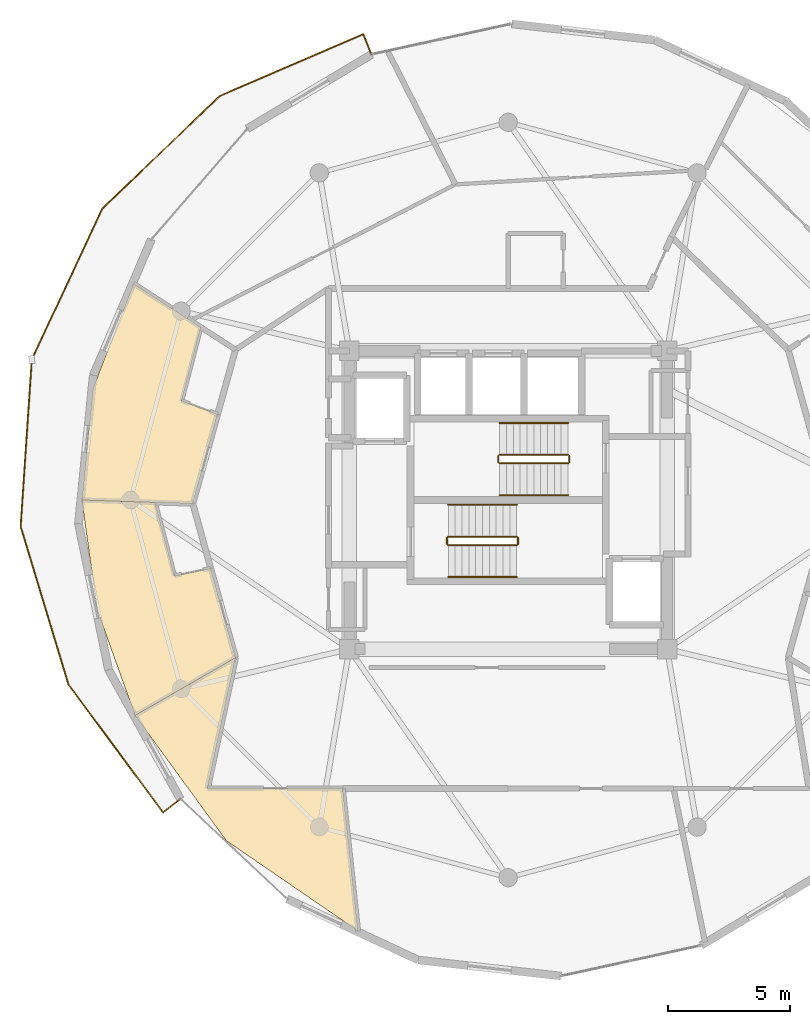
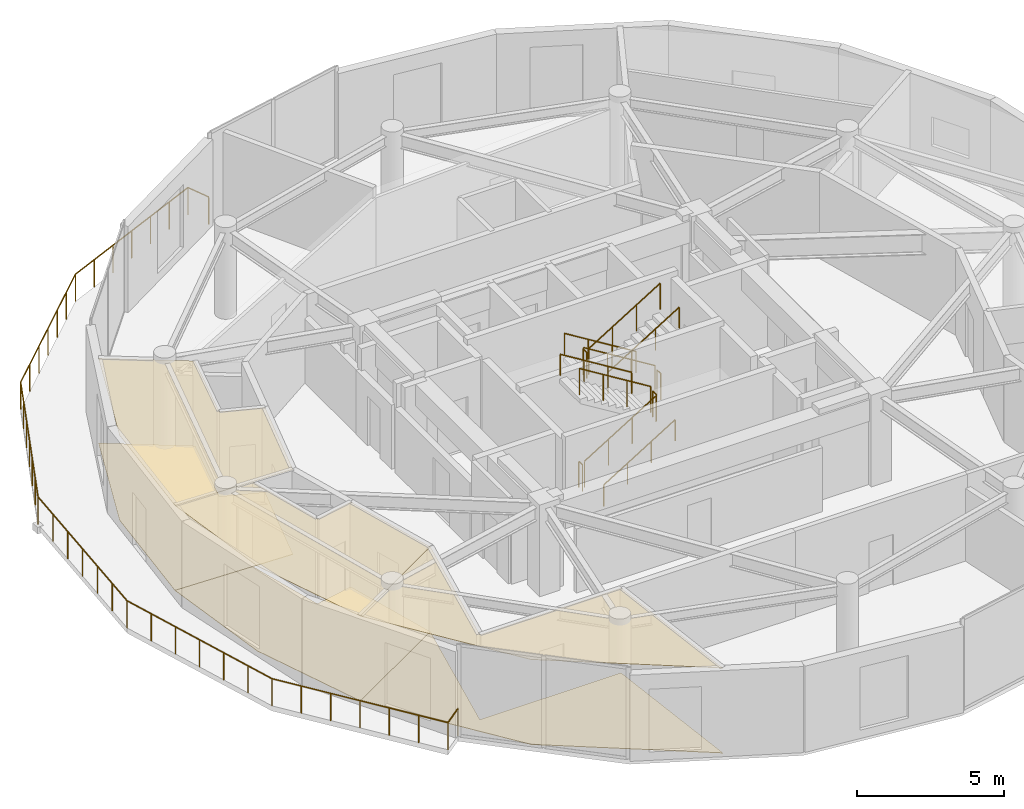
# One storey, part 14 of 15: 13 railings, 6 coverings.
"""IFC4 building model written with IfcOpenShell, lengths in metres."""

from ifc_helpers import new_model, si_unit, direction, frame, origin, origin_2d, place, context, subcontext, project, spatial, polyline, circle, outline, extrude, material, layer, layer_set, type_object, element, save


model = new_model("IFC4")

# Units and contexts
model_context = context("Model", 3, precision=1e-05, world=origin(), true_north=direction((0.0, 1.0)))
body_context = subcontext(model_context, "Body", "Model", "MODEL_VIEW")
ifc_project = project(units=[si_unit("LENGTHUNIT", "METRE"), si_unit("AREAUNIT", "SQUARE_METRE"), si_unit("VOLUMEUNIT", "CUBIC_METRE"), si_unit("PLANEANGLEUNIT", "RADIAN"), si_unit("MASSUNIT", "GRAM", prefix="KILO")], contexts=[model_context])

# Site, building, storey
site_placement = place(None, origin())
site = spatial("IfcSite", under=ifc_project, at=site_placement, CompositionType="ELEMENT")
building_placement = place(site_placement, origin())
building = spatial("IfcBuilding", under=site, at=building_placement, Name="Solvirekh Grand Hotel", CompositionType="ELEMENT")
storey_placement = place(building_placement, frame((0.0, 0.0, 270.60009765625)))
storey = spatial("IfcBuildingStorey", under=building, at=storey_placement, Name="L70", CompositionType="ELEMENT", Elevation=270.60009765625)

# Coverings
ifc_material_1 = material(Name="Acoustic Mineral Ceiling Tile")
ifc_layer_1 = layer(ifc_material_1, 0.02490234375)
ifc_layer_set_1 = layer_set([ifc_layer_1], Name="Acoustic Mineral Ceiling Tile")
covering_type_1 = type_object("IfcCoveringType", Name="Cov_Ceiling_Acoustic", PredefinedType="CEILING", material=ifc_layer_set_1)
covering_1_placement = place(storey_placement, frame((0.0, 0.0, 3.52001953125)))
element("IfcCovering", 1, at=covering_1_placement, inside=storey, type_object=covering_type_1, Name="L70 Deluxe Guestroom 7202 acoustic ceiling", PredefinedType="CEILING", context=body_context, shape_type="SweptSolid", body=[
    extrude(outline(polyline([(-13.35693359375, 4.056884765625), (-12.570068359375, 7.06689453125), (-15.323974609375, 8.846923828125), (-16.985107421875, 4.551025390625), (-17.43798828125, 0.0), (-12.89990234375, -0.14990234375), (-11.885986328125, 3.50390625), (-13.35693359375, 4.056884765625)])), origin(), (0.0, 0.0, 1.0), 0.017822265625),
])
covering_2_placement = place(storey_placement, frame((0.0, 0.0, 3.52001953125)))
element("IfcCovering", 2, at=covering_2_placement, inside=storey, type_object=covering_type_1, Name="L70 Deluxe Guestroom 7203 acoustic ceiling", PredefinedType="CEILING", context=body_context, shape_type="SweptSolid", body=[
    extrude(outline(polyline([(-13.64794921875, -3.10400390625), (-14.443115234375, -0.09912109375), (-17.43798828125, 0.0), (-16.806884765625, -4.5029296875), (-15.260986328125, -8.81103515625), (-11.152099609375, -6.449951171875), (-12.166015625, -2.7958984375), (-13.64794921875, -3.10400390625)])), origin(), (0.0, 0.0, 1.0), 0.017822265625),
])
covering_3_placement = place(storey_placement, frame((0.0, 0.0, 3.52001953125)))
element("IfcCovering", 3, at=covering_3_placement, inside=storey, type_object=covering_type_1, Name="L70 L70 Horizon View Lounge acoustic ceiling", PredefinedType="CEILING", context=body_context, shape_type="SweptSolid", body=[
    extrude(outline(polyline([(-15.260986328125, -8.81103515625), (-11.529052734375, -13.93603515625), (-6.139892578125, -17.631103515625), (-6.764892578125, -11.800048828125), (-12.300048828125, -11.800048828125), (-11.152099609375, -6.449951171875), (-15.260986328125, -8.81103515625)])), origin(), (0.0, 0.0, 1.0), 0.017822265625),
])
ifc_material_2 = material(Name="Porcelain Stoneware Flooring", Category="masonry")
ifc_layer_2 = layer(ifc_material_2, 0.030029296875)
ifc_layer_set_2 = layer_set([ifc_layer_2], Name="Porcelain Stoneware Flooring")
covering_type_2 = type_object("IfcCoveringType", Name="Cov_Floor_Stone", PredefinedType="FLOORING", material=ifc_layer_set_2)
covering_4_placement = place(storey_placement, origin())
element("IfcCovering", 4, at=covering_4_placement, inside=storey, type_object=covering_type_2, Name="L70 Deluxe Guestroom 7202 polished granite flooring", PredefinedType="FLOORING", context=body_context, shape_type="SweptSolid", body=[
    extrude(outline(polyline([(-13.35693359375, 4.056884765625), (-12.570068359375, 7.06689453125), (-15.323974609375, 8.846923828125), (-16.985107421875, 4.551025390625), (-17.43798828125, 0.0), (-12.89990234375, -0.14990234375), (-11.885986328125, 3.50390625), (-13.35693359375, 4.056884765625)])), origin(), (0.0, 0.0, 1.0), 0.02001953125),
])
covering_5_placement = place(storey_placement, origin())
element("IfcCovering", 5, at=covering_5_placement, inside=storey, type_object=covering_type_2, Name="L70 Deluxe Guestroom 7203 polished granite flooring", PredefinedType="FLOORING", context=body_context, shape_type="SweptSolid", body=[
    extrude(outline(polyline([(-13.64794921875, -3.10400390625), (-14.443115234375, -0.09912109375), (-17.43798828125, 0.0), (-16.806884765625, -4.5029296875), (-15.260986328125, -8.81103515625), (-11.152099609375, -6.449951171875), (-12.166015625, -2.7958984375), (-13.64794921875, -3.10400390625)])), origin(), (0.0, 0.0, 1.0), 0.02001953125),
])
covering_6_placement = place(storey_placement, origin())
element("IfcCovering", 6, at=covering_6_placement, inside=storey, type_object=covering_type_2, Name="L70 L70 Horizon View Lounge polished granite flooring", PredefinedType="FLOORING", context=body_context, shape_type="SweptSolid", body=[
    extrude(outline(polyline([(-15.260986328125, -8.81103515625), (-11.529052734375, -13.93603515625), (-6.139892578125, -17.631103515625), (-6.764892578125, -11.800048828125), (-12.300048828125, -11.800048828125), (-11.152099609375, -6.449951171875), (-15.260986328125, -8.81103515625)])), origin(), (0.0, 0.0, 1.0), 0.02001953125),
])

# Railings
ifc_material_3 = material(Name="Anodized Bronze Aluminium 6063-T6", Category="aluminium")
railing_type_1 = type_object("IfcRailingType", Name="Guard_ExtGlass_1150", PredefinedType="BALUSTRADE", material=ifc_material_3)
railing_1_placement = place(storey_placement, frame((-5.593994140625, 18.221923828125, 0.0)))
element("IfcRailing", 7, at=railing_1_placement, inside=storey, type_object=railing_type_1, Name="L70 balc perimeter glass balustrade", PredefinedType="BALUSTRADE", context=body_context, shape_type="SweptSolid", body=[
    extrude(circle(Radius=0.02392578125, at=origin_2d()), frame((0.0, 0.0, 1.1259765625), z_axis=(-0.36905018352, 0.929409469526, 0.0), x_axis=(-0.929409469526, -0.36905018352, 0.0)), (0.0, 0.0, 1.0), 0.899658203125),
    extrude(circle(Radius=0.02392578125, at=origin_2d()), frame((-0.33203125, 0.836181640625, 1.1259765625), z_axis=(-0.918234084241, -0.396038087232, 0.0), x_axis=(0.396038087232, -0.918234084241, 0.0)), (0.0, 0.0, 1.0), 6.393798828125),
    extrude(circle(Radius=0.02392578125, at=origin_2d()), frame((-6.203125, -1.696044921875, 1.1259765625), z_axis=(-0.721966066413, -0.691928463751, 0.0), x_axis=(0.691928463751, -0.721966066413, 0.0)), (0.0, 0.0, 1.0), 6.65673828125),
    extrude(circle(Radius=0.02392578125, at=origin_2d()), frame((-11.009033203125, -6.302001953125, 1.1259765625), z_axis=(-0.423175589117, -0.906047692329, 0.0), x_axis=(0.906047692329, -0.423175589117, 0.0)), (0.0, 0.0, 1.0), 6.817626953125),
    extrude(circle(Radius=0.02392578125, at=origin_2d()), frame((-13.89404296875, -12.47900390625, 1.1259765625), z_axis=(-0.066585253689, -0.997780739437, 0.0), x_axis=(0.997780739437, -0.066585253689, 0.0)), (0.0, 0.0, 1.0), 6.84912109375),
    extrude(circle(Radius=0.02392578125, at=origin_2d()), frame((-14.35009765625, -19.31298828125, 1.1259765625), z_axis=(0.289880803147, -0.957062756546, 0.0), x_axis=(0.957062756546, 0.289880803147, 0.0)), (0.0, 0.0, 1.0), 6.744384765625),
    extrude(circle(Radius=0.02392578125, at=origin_2d()), frame((-12.39501953125, -25.767822265625, 1.1259765625), z_axis=(0.594510153827, -0.804088102758, 0.0), x_axis=(0.804088102758, 0.594510153827, 0.0)), (0.0, 0.0, 1.0), 6.512939453125),
    extrude(circle(Radius=0.02392578125, at=origin_2d()), frame((-8.52294921875, -31.0048828125, 1.1259765625), z_axis=(0.788928390518, 0.614485145984, 0.0), x_axis=(-0.614485145984, 0.788928390518, 0.0)), (0.0, 0.0, 1.0), 0.89990234375),
    extrude(circle(Radius=0.02099609375, at=origin_2d()), origin(), (0.0, 0.0, 1.0), 1.101806640625),
    extrude(circle(Radius=0.02099609375, at=origin_2d()), frame((-0.33203125, 0.836181640625, 0.0)), (0.0, 0.0, 1.0), 1.101806640625),
    extrude(circle(Radius=0.02099609375, at=origin_2d()), frame((-1.310546875, 0.4140625, 0.0)), (0.0, 0.0, 1.0), 1.101806640625),
    extrude(circle(Radius=0.02099609375, at=origin_2d()), frame((-2.2890625, -0.0078125, 0.0)), (0.0, 0.0, 1.0), 1.101806640625),
    extrude(circle(Radius=0.02099609375, at=origin_2d()), frame((-3.267578125, -0.429931640625, 0.0)), (0.0, 0.0, 1.0), 1.101806640625),
    extrude(circle(Radius=0.02099609375, at=origin_2d()), frame((-4.24609375, -0.85205078125, 0.0)), (0.0, 0.0, 1.0), 1.101806640625),
    extrude(circle(Radius=0.02099609375, at=origin_2d()), frame((-5.224609375, -1.27392578125, 0.0)), (0.0, 0.0, 1.0), 1.101806640625),
    extrude(circle(Radius=0.02099609375, at=origin_2d()), frame((-6.203125, -1.696044921875, 0.0)), (0.0, 0.0, 1.0), 1.101806640625),
    extrude(circle(Radius=0.02099609375, at=origin_2d()), frame((-7.004150390625, -2.463623046875, 0.0)), (0.0, 0.0, 1.0), 1.101806640625),
    extrude(circle(Radius=0.02099609375, at=origin_2d()), frame((-7.80517578125, -3.2314453125, 0.0)), (0.0, 0.0, 1.0), 1.101806640625),
    extrude(circle(Radius=0.02099609375, at=origin_2d()), frame((-8.60595703125, -3.9990234375, 0.0)), (0.0, 0.0, 1.0), 1.101806640625),
    extrude(circle(Radius=0.02099609375, at=origin_2d()), frame((-9.406982421875, -4.7666015625, 0.0)), (0.0, 0.0, 1.0), 1.101806640625),
    extrude(circle(Radius=0.02099609375, at=origin_2d()), frame((-10.2080078125, -5.534423828125, 0.0)), (0.0, 0.0, 1.0), 1.101806640625),
    extrude(circle(Radius=0.02099609375, at=origin_2d()), frame((-11.009033203125, -6.302001953125, 0.0)), (0.0, 0.0, 1.0), 1.101806640625),
    extrude(circle(Radius=0.02099609375, at=origin_2d()), frame((-11.48974609375, -7.33154296875, 0.0)), (0.0, 0.0, 1.0), 1.101806640625),
    extrude(circle(Radius=0.02099609375, at=origin_2d()), frame((-11.970703125, -8.361083984375, 0.0)), (0.0, 0.0, 1.0), 1.101806640625),
    extrude(circle(Radius=0.02099609375, at=origin_2d()), frame((-12.45166015625, -9.390625, 0.0)), (0.0, 0.0, 1.0), 1.101806640625),
    extrude(circle(Radius=0.02099609375, at=origin_2d()), frame((-12.932373046875, -10.419921875, 0.0)), (0.0, 0.0, 1.0), 1.101806640625),
    extrude(circle(Radius=0.02099609375, at=origin_2d()), frame((-13.4130859375, -11.449462890625, 0.0)), (0.0, 0.0, 1.0), 1.101806640625),
    extrude(circle(Radius=0.02099609375, at=origin_2d()), frame((-13.89404296875, -12.47900390625, 0.0)), (0.0, 0.0, 1.0), 1.101806640625),
    extrude(circle(Radius=0.02099609375, at=origin_2d()), frame((-13.969970703125, -13.617919921875, 0.0)), (0.0, 0.0, 1.0), 1.101806640625),
    extrude(circle(Radius=0.02099609375, at=origin_2d()), frame((-14.046142578125, -14.757080078125, 0.0)), (0.0, 0.0, 1.0), 1.101806640625),
    extrude(circle(Radius=0.02099609375, at=origin_2d()), frame((-14.1220703125, -15.89599609375, 0.0)), (0.0, 0.0, 1.0), 1.101806640625),
    extrude(circle(Radius=0.02099609375, at=origin_2d()), frame((-14.197998046875, -17.034912109375, 0.0)), (0.0, 0.0, 1.0), 1.101806640625),
    extrude(circle(Radius=0.02099609375, at=origin_2d()), frame((-14.274169921875, -18.174072265625, 0.0)), (0.0, 0.0, 1.0), 1.101806640625),
    extrude(circle(Radius=0.02099609375, at=origin_2d()), frame((-14.35009765625, -19.31298828125, 0.0)), (0.0, 0.0, 1.0), 1.101806640625),
    extrude(circle(Radius=0.02099609375, at=origin_2d()), frame((-14.024169921875, -20.388671875, 0.0)), (0.0, 0.0, 1.0), 1.101806640625),
    extrude(circle(Radius=0.02099609375, at=origin_2d()), frame((-13.698486328125, -21.464599609375, 0.0)), (0.0, 0.0, 1.0), 1.101806640625),
    extrude(circle(Radius=0.02099609375, at=origin_2d()), frame((-13.37255859375, -22.54052734375, 0.0)), (0.0, 0.0, 1.0), 1.101806640625),
    extrude(circle(Radius=0.02099609375, at=origin_2d()), frame((-13.046630859375, -23.6162109375, 0.0)), (0.0, 0.0, 1.0), 1.101806640625),
    extrude(circle(Radius=0.02099609375, at=origin_2d()), frame((-12.720947265625, -24.69189453125, 0.0)), (0.0, 0.0, 1.0), 1.101806640625),
    extrude(circle(Radius=0.02099609375, at=origin_2d()), frame((-12.39501953125, -25.767822265625, 0.0)), (0.0, 0.0, 1.0), 1.101806640625),
    extrude(circle(Radius=0.02099609375, at=origin_2d()), frame((-11.749755859375, -26.640625, 0.0)), (0.0, 0.0, 1.0), 1.101806640625),
    extrude(circle(Radius=0.02099609375, at=origin_2d()), frame((-11.104248046875, -27.513427734375, 0.0)), (0.0, 0.0, 1.0), 1.101806640625),
    extrude(circle(Radius=0.02099609375, at=origin_2d()), frame((-10.458984375, -28.38623046875, 0.0)), (0.0, 0.0, 1.0), 1.101806640625),
    extrude(circle(Radius=0.02099609375, at=origin_2d()), frame((-9.813720703125, -29.25927734375, 0.0)), (0.0, 0.0, 1.0), 1.101806640625),
    extrude(circle(Radius=0.02099609375, at=origin_2d()), frame((-9.168212890625, -30.132080078125, 0.0)), (0.0, 0.0, 1.0), 1.101806640625),
    extrude(circle(Radius=0.02099609375, at=origin_2d()), frame((-8.52294921875, -31.0048828125, 0.0)), (0.0, 0.0, 1.0), 1.101806640625),
    extrude(circle(Radius=0.02099609375, at=origin_2d()), frame((-7.81298828125, -30.451904296875, 0.0)), (0.0, 0.0, 1.0), 1.101806640625),
])
ifc_material_4 = material(Name="Steel S355", Category="steel")
railing_type_2 = type_object("IfcRailingType", Name="Guard_Stair_1100", PredefinedType="GUARDRAIL", material=ifc_material_4)
railing_2_placement = place(storey_placement, frame((-2.449951171875, -1.85009765625, 0.172607421875)))
element("IfcRailing", 8, at=railing_2_placement, inside=storey, type_object=railing_type_2, Name="L70 ST-1 stair guard 1", PredefinedType="GUARDRAIL", context=body_context, shape_type="SweptSolid", body=[
    extrude(circle(Radius=0.02392578125, at=origin_2d()), frame((0.0, 0.0, 1.076171875), z_axis=(0.851089632645, 0.0, 0.525020415988), x_axis=(0.0, 1.0, 0.0)), (0.0, 0.0, 1.0), 3.2900390625),
    extrude(circle(Radius=0.02099609375, at=origin_2d()), origin(), (0.0, 0.0, 1.0), 1.052001953125),
    extrude(circle(Radius=0.02099609375, at=origin_2d()), frame((0.933349609375, 0.0, 0.57568359375)), (0.0, 0.0, 1.0), 1.052001953125),
    extrude(circle(Radius=0.02099609375, at=origin_2d()), frame((1.86669921875, 0.0, 1.151611328125)), (0.0, 0.0, 1.0), 1.052001953125),
    extrude(circle(Radius=0.02099609375, at=origin_2d()), frame((2.800048828125, 0.0, 1.727294921875)), (0.0, 0.0, 1.0), 1.052001953125),
])
railing_3_placement = place(storey_placement, frame((0.39990234375, -1.800048828125, 1.89990234375)))
element("IfcRailing", 9, at=railing_3_placement, inside=storey, type_object=railing_type_2, Name="L70 ST-1 stair guard 2", PredefinedType="GUARDRAIL", context=body_context, shape_type="SweptSolid", body=[
    extrude(circle(Radius=0.02392578125, at=origin_2d()), frame((0.0, 0.0, 1.076171875), z_axis=(0.0, 1.0, 0.0), x_axis=(-1.0, 0.0, 0.0)), (0.0, 0.0, 1.0), 0.25),
    extrude(circle(Radius=0.02099609375, at=origin_2d()), origin(), (0.0, 0.0, 1.0), 1.052001953125),
    extrude(circle(Radius=0.02099609375, at=origin_2d()), frame((0.0, 0.25, 0.0)), (0.0, 0.0, 1.0), 1.052001953125),
])
railing_4_placement = place(storey_placement, frame((0.35009765625, -1.5, 2.072509765625)))
element("IfcRailing", 10, at=railing_4_placement, inside=storey, type_object=railing_type_2, Name="L70 ST-1 stair guard 3", PredefinedType="GUARDRAIL", context=body_context, shape_type="SweptSolid", body=[
    extrude(circle(Radius=0.02392578125, at=origin_2d()), frame((0.0, 0.0, 1.076171875), z_axis=(-0.851089632645, 0.0, 0.525020415988), x_axis=(0.0, -1.0, 0.0)), (0.0, 0.0, 1.0), 3.2900390625),
    extrude(circle(Radius=0.02099609375, at=origin_2d()), origin(), (0.0, 0.0, 1.0), 1.052001953125),
    extrude(circle(Radius=0.02099609375, at=origin_2d()), frame((-0.933349609375, 0.0, 0.57568359375)), (0.0, 0.0, 1.0), 1.052001953125),
    extrude(circle(Radius=0.02099609375, at=origin_2d()), frame((-1.86669921875, 0.0, 1.151611328125)), (0.0, 0.0, 1.0), 1.052001953125),
    extrude(circle(Radius=0.02099609375, at=origin_2d()), frame((-2.800048828125, 0.0, 1.727294921875)), (0.0, 0.0, 1.0), 1.052001953125),
])
railing_5_placement = place(storey_placement, frame((-2.5, -1.800048828125, 0.0)))
element("IfcRailing", 11, at=railing_5_placement, inside=storey, type_object=railing_type_2, Name="L70 ST-1 stair guard 4", PredefinedType="GUARDRAIL", context=body_context, shape_type="SweptSolid", body=[
    extrude(circle(Radius=0.02392578125, at=origin_2d()), frame((0.0, 0.0, 1.076171875), z_axis=(0.0, 1.0, 0.0), x_axis=(-1.0, 0.0, 0.0)), (0.0, 0.0, 1.0), 0.25),
    extrude(circle(Radius=0.02099609375, at=origin_2d()), origin(), (0.0, 0.0, 1.0), 1.052001953125),
    extrude(circle(Radius=0.02099609375, at=origin_2d()), frame((0.0, 0.25, 0.0)), (0.0, 0.0, 1.0), 1.052001953125),
])
railing_6_placement = place(storey_placement, frame((2.449951171875, 1.85009765625, 0.172607421875)))
element("IfcRailing", 12, at=railing_6_placement, inside=storey, type_object=railing_type_2, Name="L70 ST-2 stair guard 1", PredefinedType="GUARDRAIL", context=body_context, shape_type="SweptSolid", body=[
    extrude(circle(Radius=0.02392578125, at=origin_2d()), frame((0.0, 0.0, 1.076171875), z_axis=(-0.851089632645, 0.0, 0.525020415988), x_axis=(0.0, -1.0, 0.0)), (0.0, 0.0, 1.0), 3.2900390625),
    extrude(circle(Radius=0.02099609375, at=origin_2d()), origin(), (0.0, 0.0, 1.0), 1.052001953125),
    extrude(circle(Radius=0.02099609375, at=origin_2d()), frame((-0.933349609375, 0.0, 0.57568359375)), (0.0, 0.0, 1.0), 1.052001953125),
    extrude(circle(Radius=0.02099609375, at=origin_2d()), frame((-1.86669921875, 0.0, 1.151611328125)), (0.0, 0.0, 1.0), 1.052001953125),
    extrude(circle(Radius=0.02099609375, at=origin_2d()), frame((-2.800048828125, 0.0, 1.727294921875)), (0.0, 0.0, 1.0), 1.052001953125),
])
railing_7_placement = place(storey_placement, frame((-0.39990234375, 1.800048828125, 1.89990234375)))
element("IfcRailing", 13, at=railing_7_placement, inside=storey, type_object=railing_type_2, Name="L70 ST-2 stair guard 2", PredefinedType="GUARDRAIL", context=body_context, shape_type="SweptSolid", body=[
    extrude(circle(Radius=0.02392578125, at=origin_2d()), frame((0.0, 0.0, 1.076171875), z_axis=(0.0, -1.0, 0.0), x_axis=(1.0, 0.0, 0.0)), (0.0, 0.0, 1.0), 0.25),
    extrude(circle(Radius=0.02099609375, at=origin_2d()), origin(), (0.0, 0.0, 1.0), 1.052001953125),
    extrude(circle(Radius=0.02099609375, at=origin_2d()), frame((0.0, -0.25, 0.0)), (0.0, 0.0, 1.0), 1.052001953125),
])
railing_8_placement = place(storey_placement, frame((-0.35009765625, 1.5, 2.072509765625)))
element("IfcRailing", 14, at=railing_8_placement, inside=storey, type_object=railing_type_2, Name="L70 ST-2 stair guard 3", PredefinedType="GUARDRAIL", context=body_context, shape_type="SweptSolid", body=[
    extrude(circle(Radius=0.02392578125, at=origin_2d()), frame((0.0, 0.0, 1.076171875), z_axis=(0.851089632645, 0.0, 0.525020415988), x_axis=(0.0, 1.0, 0.0)), (0.0, 0.0, 1.0), 3.2900390625),
    extrude(circle(Radius=0.02099609375, at=origin_2d()), origin(), (0.0, 0.0, 1.0), 1.052001953125),
    extrude(circle(Radius=0.02099609375, at=origin_2d()), frame((0.933349609375, 0.0, 0.57568359375)), (0.0, 0.0, 1.0), 1.052001953125),
    extrude(circle(Radius=0.02099609375, at=origin_2d()), frame((1.86669921875, 0.0, 1.151611328125)), (0.0, 0.0, 1.0), 1.052001953125),
    extrude(circle(Radius=0.02099609375, at=origin_2d()), frame((2.800048828125, 0.0, 1.727294921875)), (0.0, 0.0, 1.0), 1.052001953125),
])
railing_9_placement = place(storey_placement, frame((2.5, 1.800048828125, 0.0)))
element("IfcRailing", 15, at=railing_9_placement, inside=storey, type_object=railing_type_2, Name="L70 ST-2 stair guard 4", PredefinedType="GUARDRAIL", context=body_context, shape_type="SweptSolid", body=[
    extrude(circle(Radius=0.02392578125, at=origin_2d()), frame((0.0, 0.0, 1.076171875), z_axis=(0.0, -1.0, 0.0), x_axis=(1.0, 0.0, 0.0)), (0.0, 0.0, 1.0), 0.25),
    extrude(circle(Radius=0.02099609375, at=origin_2d()), origin(), (0.0, 0.0, 1.0), 1.052001953125),
    extrude(circle(Radius=0.02099609375, at=origin_2d()), frame((0.0, -0.25, 0.0)), (0.0, 0.0, 1.0), 1.052001953125),
])
railing_type_3 = type_object("IfcRailingType", Name="Handrail_Wall_900", PredefinedType="HANDRAIL", material=ifc_material_3)
railing_10_placement = place(storey_placement, frame((-2.449951171875, -3.14990234375, 0.172607421875)))
element("IfcRailing", 16, at=railing_10_placement, inside=storey, type_object=railing_type_3, Name="L70 ST-1 stair handrail 1", PredefinedType="HANDRAIL", context=body_context, shape_type="SweptSolid", body=[
    extrude(circle(Radius=0.02392578125, at=origin_2d()), frame((0.0, 0.0, 0.8759765625), z_axis=(0.851089632645, 0.0, 0.525020415988), x_axis=(0.0, 1.0, 0.0)), (0.0, 0.0, 1.0), 3.2900390625),
    extrude(circle(Radius=0.02099609375, at=origin_2d()), origin(), (0.0, 0.0, 1.0), 0.851806640625),
    extrude(circle(Radius=0.02099609375, at=origin_2d()), frame((0.933349609375, 0.0, 0.57568359375)), (0.0, 0.0, 1.0), 0.851806640625),
    extrude(circle(Radius=0.02099609375, at=origin_2d()), frame((1.86669921875, 0.0, 1.151611328125)), (0.0, 0.0, 1.0), 0.851806640625),
    extrude(circle(Radius=0.02099609375, at=origin_2d()), frame((2.800048828125, 0.0, 1.727294921875)), (0.0, 0.0, 1.0), 0.851806640625),
])
for number, where, name in (
    (17, (0.35009765625, -0.199951171875, 2.072509765625), "L70 ST-1 stair handrail 2"),
    (18, (2.449951171875, 3.14990234375, 0.172607421875), "L70 ST-2 stair handrail 1"),
):
    element("IfcRailing", number, at=place(storey_placement, frame(where)), inside=storey, type_object=railing_type_3, Name=name, PredefinedType="HANDRAIL", context=body_context, shape_type="SweptSolid", body=[
        extrude(circle(Radius=0.02392578125, at=origin_2d()), frame((0.0, 0.0, 0.8759765625), z_axis=(-0.851089632645, 0.0, 0.525020415988), x_axis=(0.0, -1.0, 0.0)), (0.0, 0.0, 1.0), 3.2900390625),
        extrude(circle(Radius=0.02099609375, at=origin_2d()), origin(), (0.0, 0.0, 1.0), 0.851806640625),
        extrude(circle(Radius=0.02099609375, at=origin_2d()), frame((-0.933349609375, 0.0, 0.57568359375)), (0.0, 0.0, 1.0), 0.851806640625),
        extrude(circle(Radius=0.02099609375, at=origin_2d()), frame((-1.86669921875, 0.0, 1.151611328125)), (0.0, 0.0, 1.0), 0.851806640625),
        extrude(circle(Radius=0.02099609375, at=origin_2d()), frame((-2.800048828125, 0.0, 1.727294921875)), (0.0, 0.0, 1.0), 0.851806640625),
    ])
railing_11_placement = place(storey_placement, frame((-0.35009765625, 0.199951171875, 2.072509765625)))
element("IfcRailing", 19, at=railing_11_placement, inside=storey, type_object=railing_type_3, Name="L70 ST-2 stair handrail 2", PredefinedType="HANDRAIL", context=body_context, shape_type="SweptSolid", body=[
    extrude(circle(Radius=0.02392578125, at=origin_2d()), frame((0.0, 0.0, 0.8759765625), z_axis=(0.851089632645, 0.0, 0.525020415988), x_axis=(0.0, 1.0, 0.0)), (0.0, 0.0, 1.0), 3.2900390625),
    extrude(circle(Radius=0.02099609375, at=origin_2d()), origin(), (0.0, 0.0, 1.0), 0.851806640625),
    extrude(circle(Radius=0.02099609375, at=origin_2d()), frame((0.933349609375, 0.0, 0.57568359375)), (0.0, 0.0, 1.0), 0.851806640625),
    extrude(circle(Radius=0.02099609375, at=origin_2d()), frame((1.86669921875, 0.0, 1.151611328125)), (0.0, 0.0, 1.0), 0.851806640625),
    extrude(circle(Radius=0.02099609375, at=origin_2d()), frame((2.800048828125, 0.0, 1.727294921875)), (0.0, 0.0, 1.0), 0.851806640625),
])

save(model, "model.ifc")
